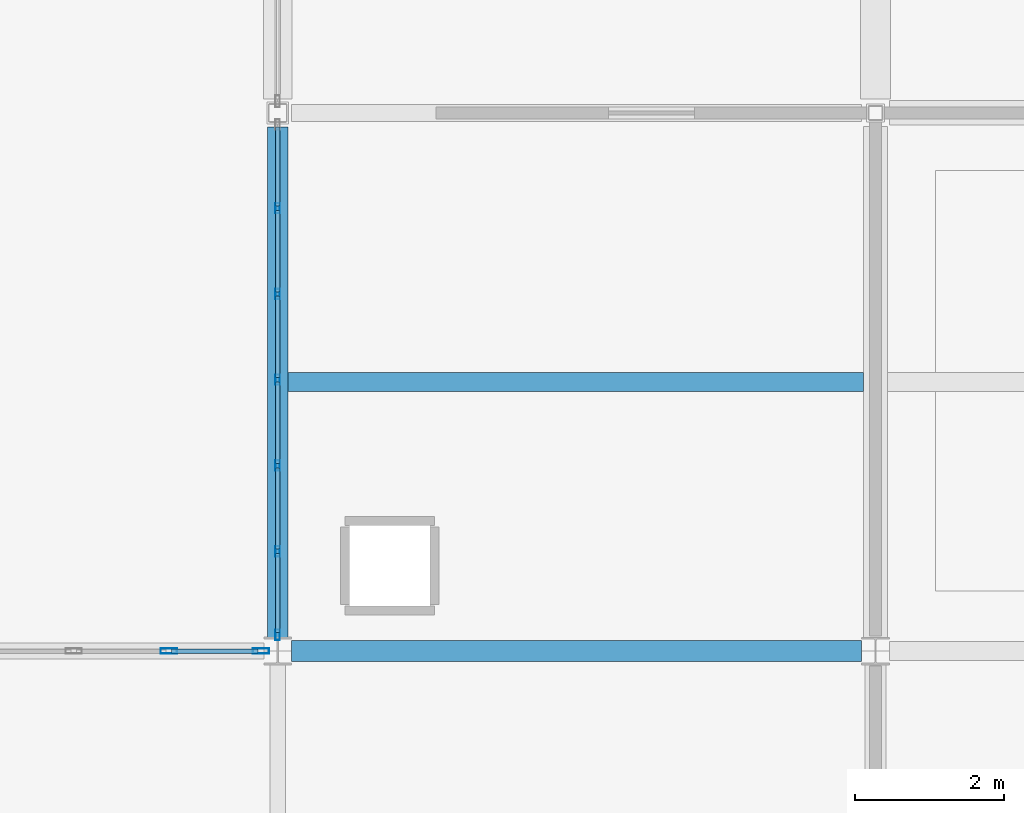
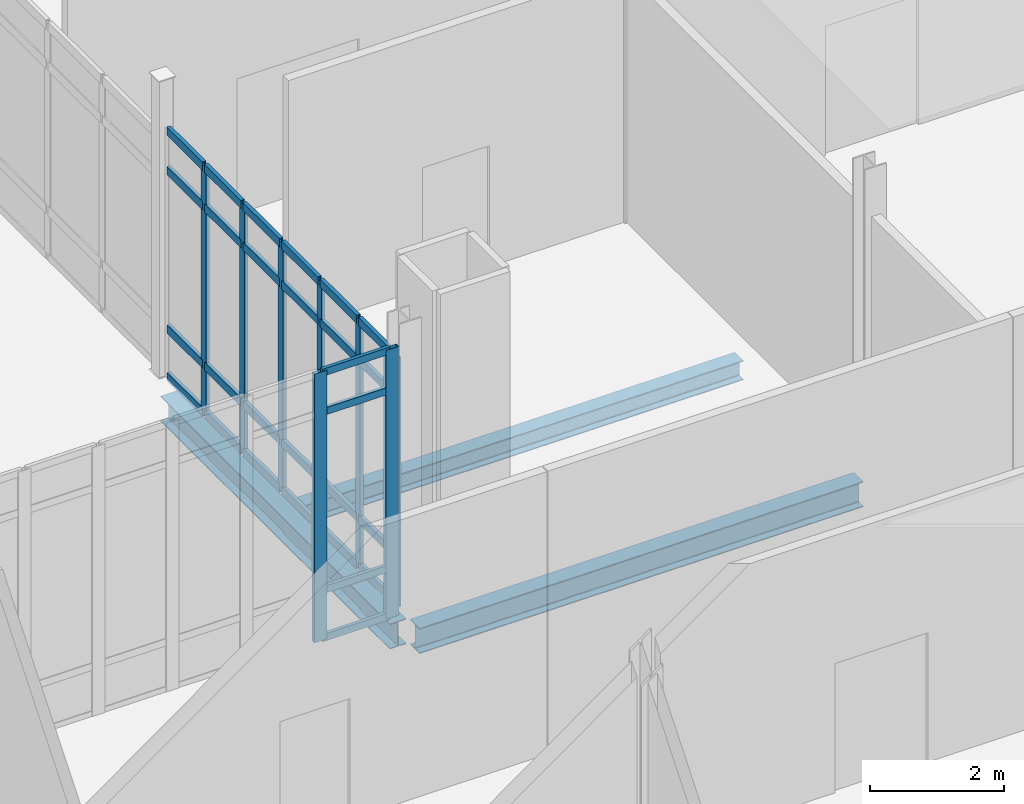
# One storey, part 50 of 229: 36 members, 3 beams, 2 elements without a shape of their own.
"""IFC4 building model written with IfcOpenShell, lengths in metres."""

from ifc_helpers import new_model, si_unit, direction, frame, origin, origin_2d, place, context, subcontext, project, spatial, hollow_rectangle, i_section, extrude, material, layer, layer_set, material_profile, profile_set, type_object, element, aggregate, save


model = new_model("IFC4")

# Units and contexts
model_context = context("Model", 3, precision=1e-05, world=origin(), true_north=direction((0.0, 1.0)))
body_context = subcontext(model_context, "Body", "Model", "MODEL_VIEW")
ifc_project = project(units=[si_unit("LENGTHUNIT", "METRE"), si_unit("AREAUNIT", "SQUARE_METRE"), si_unit("VOLUMEUNIT", "CUBIC_METRE"), si_unit("PLANEANGLEUNIT", "RADIAN"), si_unit("MASSUNIT", "GRAM", prefix="KILO")], contexts=[model_context])

# Site, building, storey
site_placement = place(None, origin())
site = spatial("IfcSite", under=ifc_project, at=site_placement, CompositionType="ELEMENT")
building_placement = place(site_placement, origin())
building = spatial("IfcBuilding", under=site, at=building_placement, Name="Calvrana Isthmian Art Gallery", CompositionType="ELEMENT")
storey_placement = place(building_placement, origin())
storey = spatial("IfcBuildingStorey", under=building, at=storey_placement, Name="L00", CompositionType="ELEMENT", Elevation=0.0)

# Beams
ifc_material_1 = material(Name="Steel ASTM A992 Gr 50", Category="steel")
ifc_material_profile_1 = material_profile(ifc_material_1, i_section(OverallWidth=0.279052734375, OverallDepth=0.4619140625, WebThickness=0.0107421875, FlangeThickness=0.017333984375, FilletRadius=0.02001953125, at=origin_2d()), Name="W18X76")
ifc_profile_set_1 = profile_set([ifc_material_profile_1], Name="Steel ASTM A992 Gr 50")
beam_type_1 = type_object("IfcBeamType", Name="BM-G-W18X76", PredefinedType="BEAM", material=ifc_profile_set_1)
beam_1_placement = place(storey_placement, frame((96.58642578125, 14.39990234375, -0.51611328125), z_axis=(1.0, 0.0, 0.0), x_axis=(0.0, 1.0, 0.0)))
element("IfcBeam", 1, at=beam_1_placement, inside=storey, type_object=beam_type_1, Name="Girder X L00 13-14/C", PredefinedType="BEAM", context=body_context, shape_type="SweptSolid", body=[
    extrude(i_section(OverallWidth=0.279052734375, OverallDepth=0.4619140625, WebThickness=0.0107421875, FlangeThickness=0.017333984375, FilletRadius=0.02001953125, at=origin_2d()), origin(), (0.0, 0.0, 1.0), 7.628173828125),
])
beam_2_placement = place(storey_placement, frame((96.39990234375, 14.583984375, -0.51611328125), z_axis=(0.0, 1.0, 0.0), x_axis=(-1.0, 0.0, 0.0)))
element("IfcBeam", 2, at=beam_2_placement, inside=storey, type_object=beam_type_1, Name="Girder Y L00 13/C-D", PredefinedType="BEAM", context=body_context, shape_type="SweptSolid", body=[
    extrude(i_section(OverallWidth=0.279052734375, OverallDepth=0.4619140625, WebThickness=0.0107421875, FlangeThickness=0.017333984375, FilletRadius=0.02001953125, at=origin_2d()), origin(), (0.0, 0.0, 1.0), 6.82958984375),
])
ifc_material_profile_2 = material_profile(ifc_material_1, i_section(OverallWidth=0.25390625, OverallDepth=0.35302734375, WebThickness=0.009521484375, FlangeThickness=0.016357421875, FilletRadius=0.01806640625, at=origin_2d()), Name="W14X61")
ifc_profile_set_2 = profile_set([ifc_material_profile_2], Name="Steel ASTM A992 Gr 50")
beam_type_2 = type_object("IfcBeamType", Name="BM-J-W14X61", PredefinedType="JOIST", material=ifc_profile_set_2)
beam_3_placement = place(storey_placement, frame((96.53955078125, 18.0, -0.46142578125), z_axis=(1.0, 0.0, 0.0), x_axis=(0.0, 1.0, 0.0)))
element("IfcBeam", 3, at=beam_3_placement, inside=storey, type_object=beam_type_2, Name="Composite joist L00 bay 12-02", PredefinedType="JOIST", context=body_context, shape_type="SweptSolid", body=[
    extrude(i_section(OverallWidth=0.25390625, OverallDepth=0.35302734375, WebThickness=0.009521484375, FlangeThickness=0.016357421875, FilletRadius=0.01806640625, at=origin_2d()), origin(), (0.0, 0.0, 1.0), 7.697998046875),
])

# Curtain wall, members
ifc_material_2 = material(Name="Anodized bronze aluminium 6063-T6", Category="aluminium")
ifc_layer_1 = layer(ifc_material_2, 0.179931640625, Name="Anodized bronze aluminium 6063-T6")
ifc_layer_set_1 = layer_set([ifc_layer_1], Name="Anodized bronze aluminium 6063-T6")
curtain_wall_type_1 = type_object("IfcCurtainWallType", Name="CW-UNIT-069X45", PredefinedType="USERDEFINED", material=ifc_layer_set_1)
curtain_wall_1_placement = place(storey_placement, origin())
curtain_wall_1 = element("IfcCurtainWall", 4, at=curtain_wall_1_placement, inside=storey, type_object=curtain_wall_type_1, Name="Curtain wall CW-072", ObjectType="UNITISED CURTAIN WALL", PredefinedType="USERDEFINED")
ifc_material_profile_3 = material_profile(ifc_material_2, hollow_rectangle(XDim=0.06005859375, YDim=0.139892578125, WallThickness=0.00390625, at=origin_2d()), Name="CWM60X140")
ifc_profile_set_3 = profile_set([ifc_material_profile_3], Name="Anodized bronze aluminium 6063-T6")
member_type_1 = type_object("IfcMemberType", Name="CWM-CWM60X140", PredefinedType="MULLION", material=ifc_profile_set_3)
member_1_placement = place(storey_placement, frame((96.39990234375, 14.616455078125, 0.0), z_axis=(0.0, 0.0, 1.0), x_axis=(-1.0, 0.0, 0.0)))
member_1 = element("IfcMember", 5, at=member_1_placement, type_object=member_type_1, Name="CW-072 mullion 1", PredefinedType="MULLION", context=body_context, shape_type="SweptSolid", body=[
    extrude(hollow_rectangle(XDim=0.06005859375, YDim=0.139892578125, WallThickness=0.00390625, at=origin_2d()), origin(), (0.0, 0.0, 1.0), 4.528076171875),
])
member_2_placement = place(storey_placement, frame((96.39990234375, 15.734130859375, 0.0), z_axis=(0.0, 0.0, 1.0), x_axis=(-1.0, 0.0, 0.0)))
member_2 = element("IfcMember", 6, at=member_2_placement, type_object=member_type_1, Name="CW-072 mullion 2", PredefinedType="MULLION", context=body_context, shape_type="SweptSolid", body=[
    extrude(hollow_rectangle(XDim=0.06005859375, YDim=0.139892578125, WallThickness=0.00390625, at=origin_2d()), origin(), (0.0, 0.0, 1.0), 4.528076171875),
])
member_3_placement = place(storey_placement, frame((96.39990234375, 16.882080078125, 0.0), z_axis=(0.0, 0.0, 1.0), x_axis=(-1.0, 0.0, 0.0)))
member_3 = element("IfcMember", 7, at=member_3_placement, type_object=member_type_1, Name="CW-072 mullion 3", PredefinedType="MULLION", context=body_context, shape_type="SweptSolid", body=[
    extrude(hollow_rectangle(XDim=0.06005859375, YDim=0.139892578125, WallThickness=0.00390625, at=origin_2d()), origin(), (0.0, 0.0, 1.0), 4.528076171875),
])
member_4_placement = place(storey_placement, frame((96.39990234375, 18.02978515625, 0.0), z_axis=(0.0, 0.0, 1.0), x_axis=(-1.0, 0.0, 0.0)))
member_4 = element("IfcMember", 8, at=member_4_placement, type_object=member_type_1, Name="CW-072 mullion 4", PredefinedType="MULLION", context=body_context, shape_type="SweptSolid", body=[
    extrude(hollow_rectangle(XDim=0.06005859375, YDim=0.139892578125, WallThickness=0.00390625, at=origin_2d()), origin(), (0.0, 0.0, 1.0), 4.528076171875),
])
member_5_placement = place(storey_placement, frame((96.39990234375, 19.177490234375, 0.0), z_axis=(0.0, 0.0, 1.0), x_axis=(-1.0, 0.0, 0.0)))
member_5 = element("IfcMember", 9, at=member_5_placement, type_object=member_type_1, Name="CW-072 mullion 5", PredefinedType="MULLION", context=body_context, shape_type="SweptSolid", body=[
    extrude(hollow_rectangle(XDim=0.06005859375, YDim=0.139892578125, WallThickness=0.00390625, at=origin_2d()), origin(), (0.0, 0.0, 1.0), 4.528076171875),
])
member_6_placement = place(storey_placement, frame((96.39990234375, 20.3251953125, 0.0), z_axis=(0.0, 0.0, 1.0), x_axis=(-1.0, 0.0, 0.0)))
member_6 = element("IfcMember", 10, at=member_6_placement, type_object=member_type_1, Name="CW-072 mullion 6", PredefinedType="MULLION", context=body_context, shape_type="SweptSolid", body=[
    extrude(hollow_rectangle(XDim=0.06005859375, YDim=0.139892578125, WallThickness=0.00390625, at=origin_2d()), origin(), (0.0, 0.0, 1.0), 4.528076171875),
])

ifc_layer_2 = layer(ifc_material_2, 0.179931640625, Name="Anodized bronze aluminium 6063-T6")
ifc_layer_set_2 = layer_set([ifc_layer_2], Name="Anodized bronze aluminium 6063-T6")
curtain_wall_type_2 = type_object("IfcCurtainWallType", Name="CW-STICK-076X49", PredefinedType="NOTDEFINED", material=ifc_layer_set_2)
curtain_wall_2_placement = place(storey_placement, origin())
curtain_wall_2 = element("IfcCurtainWall", 11, at=curtain_wall_2_placement, inside=storey, type_object=curtain_wall_type_2, Name="Curtain wall CW-016", PredefinedType="NOTDEFINED")
ifc_material_profile_4 = material_profile(ifc_material_2, hollow_rectangle(XDim=0.074951171875, YDim=0.219970703125, WallThickness=0.0048828125, at=origin_2d()), Name="CWM75X220")
ifc_profile_set_4 = profile_set([ifc_material_profile_4], Name="Anodized bronze aluminium 6063-T6")
member_type_2 = type_object("IfcMemberType", Name="CWM-CWM75X220", PredefinedType="MULLION", material=ifc_profile_set_4)
member_7_placement = place(storey_placement, frame((94.94189453125, 14.39990234375, 0.0), z_axis=(0.0, 0.0, 1.0), x_axis=(0.0, 1.0, 0.0)))
member_7 = element("IfcMember", 12, at=member_7_placement, type_object=member_type_2, Name="CW-016 mullion 6", PredefinedType="MULLION", context=body_context, shape_type="SweptSolid", body=[
    extrude(hollow_rectangle(XDim=0.074951171875, YDim=0.219970703125, WallThickness=0.0048828125, at=origin_2d()), origin(), (0.0, 0.0, 1.0), 4.885986328125),
])
member_8_placement = place(storey_placement, frame((96.176025390625, 14.39990234375, 0.0), z_axis=(0.0, 0.0, 1.0), x_axis=(0.0, 1.0, 0.0)))
member_8 = element("IfcMember", 13, at=member_8_placement, type_object=member_type_2, Name="CW-016 mullion 7", PredefinedType="MULLION", context=body_context, shape_type="SweptSolid", body=[
    extrude(hollow_rectangle(XDim=0.074951171875, YDim=0.219970703125, WallThickness=0.0048828125, at=origin_2d()), origin(), (0.0, 0.0, 1.0), 4.885986328125),
])
ifc_material_profile_5 = material_profile(ifc_material_2, hollow_rectangle(XDim=0.06005859375, YDim=0.1298828125, WallThickness=0.00390625, at=origin_2d()), Name="CWT60X130")
ifc_profile_set_5 = profile_set([ifc_material_profile_5], Name="Anodized bronze aluminium 6063-T6")
member_type_3 = type_object("IfcMemberType", Name="CWT-CWT60X130", PredefinedType="USERDEFINED", material=ifc_profile_set_5)
member_9_placement = place(storey_placement, frame((94.9794921875, 14.39990234375, 0.030029296875), z_axis=(1.0, 0.0, 0.0), x_axis=(0.0, 1.0, 0.0)))
member_9 = element("IfcMember", 14, at=member_9_placement, type_object=member_type_3, Name="CW-016 transom 6.1", ObjectType="TRANSOM", PredefinedType="USERDEFINED", context=body_context, shape_type="SweptSolid", body=[
    extrude(hollow_rectangle(XDim=0.06005859375, YDim=0.1298828125, WallThickness=0.00390625, at=origin_2d()), origin(), (0.0, 0.0, 1.0), 1.158935546875),
])
member_10_placement = place(storey_placement, frame((94.9794921875, 14.39990234375, 0.89990234375), z_axis=(1.0, 0.0, 0.0), x_axis=(0.0, 1.0, 0.0)))
member_10 = element("IfcMember", 15, at=member_10_placement, type_object=member_type_3, Name="CW-016 transom 6.2", ObjectType="TRANSOM", PredefinedType="USERDEFINED", context=body_context, shape_type="SweptSolid", body=[
    extrude(hollow_rectangle(XDim=0.06005859375, YDim=0.1298828125, WallThickness=0.00390625, at=origin_2d()), origin(), (0.0, 0.0, 1.0), 1.158935546875),
])
member_11_placement = place(storey_placement, frame((94.9794921875, 14.39990234375, 4.135986328125), z_axis=(1.0, 0.0, 0.0), x_axis=(0.0, 1.0, 0.0)))
member_11 = element("IfcMember", 16, at=member_11_placement, type_object=member_type_3, Name="CW-016 transom 6.3", ObjectType="TRANSOM", PredefinedType="USERDEFINED", context=body_context, shape_type="SweptSolid", body=[
    extrude(hollow_rectangle(XDim=0.06005859375, YDim=0.1298828125, WallThickness=0.00390625, at=origin_2d()), origin(), (0.0, 0.0, 1.0), 1.158935546875),
])
member_12_placement = place(storey_placement, frame((94.9794921875, 14.39990234375, 4.85595703125), z_axis=(1.0, 0.0, 0.0), x_axis=(0.0, 1.0, 0.0)))
member_12 = element("IfcMember", 17, at=member_12_placement, type_object=member_type_3, Name="CW-016 transom 6.4", ObjectType="TRANSOM", PredefinedType="USERDEFINED", context=body_context, shape_type="SweptSolid", body=[
    extrude(hollow_rectangle(XDim=0.06005859375, YDim=0.1298828125, WallThickness=0.00390625, at=origin_2d()), origin(), (0.0, 0.0, 1.0), 1.158935546875),
])
aggregate(curtain_wall_2, [member_7, member_8, member_9, member_10, member_11, member_12])

# Member
ifc_material_profile_6 = material_profile(ifc_material_2, hollow_rectangle(XDim=0.06494140625, YDim=0.14990234375, WallThickness=0.00390625, at=origin_2d()), Name="CWT65X150")
ifc_profile_set_6 = profile_set([ifc_material_profile_6], Name="Anodized bronze aluminium 6063-T6")
member_type_4 = type_object("IfcMemberType", Name="CWT-CWT65X150", PredefinedType="USERDEFINED", material=ifc_profile_set_6)
member_13_placement = place(storey_placement, frame((96.39990234375, 14.646484375, 0.032470703125), z_axis=(0.0, 1.0, 0.0), x_axis=(-1.0, 0.0, 0.0)))
member_13 = element("IfcMember", 18, at=member_13_placement, type_object=member_type_4, Name="CW-072 transom 1.1", ObjectType="TRANSOM", PredefinedType="USERDEFINED", context=body_context, shape_type="SweptSolid", body=[
    extrude(hollow_rectangle(XDim=0.06494140625, YDim=0.14990234375, WallThickness=0.00390625, at=origin_2d()), origin(), (0.0, 0.0, 1.0), 1.057861328125),
])

member_14_placement = place(storey_placement, frame((96.39990234375, 14.646484375, 0.89990234375), z_axis=(0.0, 1.0, 0.0), x_axis=(-1.0, 0.0, 0.0)))
member_14 = element("IfcMember", 19, at=member_14_placement, type_object=member_type_4, Name="CW-072 transom 1.2", ObjectType="TRANSOM", PredefinedType="USERDEFINED", context=body_context, shape_type="SweptSolid", body=[
    extrude(hollow_rectangle(XDim=0.06494140625, YDim=0.14990234375, WallThickness=0.00390625, at=origin_2d()), origin(), (0.0, 0.0, 1.0), 1.057861328125),
])

member_15_placement = place(storey_placement, frame((96.39990234375, 14.646484375, 3.778076171875), z_axis=(0.0, 1.0, 0.0), x_axis=(-1.0, 0.0, 0.0)))
member_15 = element("IfcMember", 20, at=member_15_placement, type_object=member_type_4, Name="CW-072 transom 1.3", ObjectType="TRANSOM", PredefinedType="USERDEFINED", context=body_context, shape_type="SweptSolid", body=[
    extrude(hollow_rectangle(XDim=0.06494140625, YDim=0.14990234375, WallThickness=0.00390625, at=origin_2d()), origin(), (0.0, 0.0, 1.0), 1.057861328125),
])

member_16_placement = place(storey_placement, frame((96.39990234375, 14.646484375, 4.49560546875), z_axis=(0.0, 1.0, 0.0), x_axis=(-1.0, 0.0, 0.0)))
member_16 = element("IfcMember", 21, at=member_16_placement, type_object=member_type_4, Name="CW-072 transom 1.4", ObjectType="TRANSOM", PredefinedType="USERDEFINED", context=body_context, shape_type="SweptSolid", body=[
    extrude(hollow_rectangle(XDim=0.06494140625, YDim=0.14990234375, WallThickness=0.00390625, at=origin_2d()), origin(), (0.0, 0.0, 1.0), 1.057861328125),
])

member_17_placement = place(storey_placement, frame((96.39990234375, 15.76416015625, 0.032470703125), z_axis=(0.0, 1.0, 0.0), x_axis=(-1.0, 0.0, 0.0)))
member_17 = element("IfcMember", 22, at=member_17_placement, type_object=member_type_4, Name="CW-072 transom 2.1", ObjectType="TRANSOM", PredefinedType="USERDEFINED", context=body_context, shape_type="SweptSolid", body=[
    extrude(hollow_rectangle(XDim=0.06494140625, YDim=0.14990234375, WallThickness=0.00390625, at=origin_2d()), origin(), (0.0, 0.0, 1.0), 1.087890625),
])

member_18_placement = place(storey_placement, frame((96.39990234375, 15.76416015625, 0.89990234375), z_axis=(0.0, 1.0, 0.0), x_axis=(-1.0, 0.0, 0.0)))
member_18 = element("IfcMember", 23, at=member_18_placement, type_object=member_type_4, Name="CW-072 transom 2.2", ObjectType="TRANSOM", PredefinedType="USERDEFINED", context=body_context, shape_type="SweptSolid", body=[
    extrude(hollow_rectangle(XDim=0.06494140625, YDim=0.14990234375, WallThickness=0.00390625, at=origin_2d()), origin(), (0.0, 0.0, 1.0), 1.087890625),
])

member_19_placement = place(storey_placement, frame((96.39990234375, 15.76416015625, 3.778076171875), z_axis=(0.0, 1.0, 0.0), x_axis=(-1.0, 0.0, 0.0)))
member_19 = element("IfcMember", 24, at=member_19_placement, type_object=member_type_4, Name="CW-072 transom 2.3", ObjectType="TRANSOM", PredefinedType="USERDEFINED", context=body_context, shape_type="SweptSolid", body=[
    extrude(hollow_rectangle(XDim=0.06494140625, YDim=0.14990234375, WallThickness=0.00390625, at=origin_2d()), origin(), (0.0, 0.0, 1.0), 1.087890625),
])

member_20_placement = place(storey_placement, frame((96.39990234375, 15.76416015625, 4.49560546875), z_axis=(0.0, 1.0, 0.0), x_axis=(-1.0, 0.0, 0.0)))
member_20 = element("IfcMember", 25, at=member_20_placement, type_object=member_type_4, Name="CW-072 transom 2.4", ObjectType="TRANSOM", PredefinedType="USERDEFINED", context=body_context, shape_type="SweptSolid", body=[
    extrude(hollow_rectangle(XDim=0.06494140625, YDim=0.14990234375, WallThickness=0.00390625, at=origin_2d()), origin(), (0.0, 0.0, 1.0), 1.087890625),
])

member_21_placement = place(storey_placement, frame((96.39990234375, 16.912109375, 0.032470703125), z_axis=(0.0, 1.0, 0.0), x_axis=(-1.0, 0.0, 0.0)))
member_21 = element("IfcMember", 26, at=member_21_placement, type_object=member_type_4, Name="CW-072 transom 3.1", ObjectType="TRANSOM", PredefinedType="USERDEFINED", context=body_context, shape_type="SweptSolid", body=[
    extrude(hollow_rectangle(XDim=0.06494140625, YDim=0.14990234375, WallThickness=0.00390625, at=origin_2d()), origin(), (0.0, 0.0, 1.0), 1.087646484375),
])

member_22_placement = place(storey_placement, frame((96.39990234375, 16.912109375, 0.89990234375), z_axis=(0.0, 1.0, 0.0), x_axis=(-1.0, 0.0, 0.0)))
member_22 = element("IfcMember", 27, at=member_22_placement, type_object=member_type_4, Name="CW-072 transom 3.2", ObjectType="TRANSOM", PredefinedType="USERDEFINED", context=body_context, shape_type="SweptSolid", body=[
    extrude(hollow_rectangle(XDim=0.06494140625, YDim=0.14990234375, WallThickness=0.00390625, at=origin_2d()), origin(), (0.0, 0.0, 1.0), 1.087646484375),
])

member_23_placement = place(storey_placement, frame((96.39990234375, 16.912109375, 3.778076171875), z_axis=(0.0, 1.0, 0.0), x_axis=(-1.0, 0.0, 0.0)))
member_23 = element("IfcMember", 28, at=member_23_placement, type_object=member_type_4, Name="CW-072 transom 3.3", ObjectType="TRANSOM", PredefinedType="USERDEFINED", context=body_context, shape_type="SweptSolid", body=[
    extrude(hollow_rectangle(XDim=0.06494140625, YDim=0.14990234375, WallThickness=0.00390625, at=origin_2d()), origin(), (0.0, 0.0, 1.0), 1.087646484375),
])

member_24_placement = place(storey_placement, frame((96.39990234375, 16.912109375, 4.49560546875), z_axis=(0.0, 1.0, 0.0), x_axis=(-1.0, 0.0, 0.0)))
member_24 = element("IfcMember", 29, at=member_24_placement, type_object=member_type_4, Name="CW-072 transom 3.4", ObjectType="TRANSOM", PredefinedType="USERDEFINED", context=body_context, shape_type="SweptSolid", body=[
    extrude(hollow_rectangle(XDim=0.06494140625, YDim=0.14990234375, WallThickness=0.00390625, at=origin_2d()), origin(), (0.0, 0.0, 1.0), 1.087646484375),
])

member_25_placement = place(storey_placement, frame((96.39990234375, 18.059814453125, 0.032470703125), z_axis=(0.0, 1.0, 0.0), x_axis=(-1.0, 0.0, 0.0)))
member_25 = element("IfcMember", 30, at=member_25_placement, type_object=member_type_4, Name="CW-072 transom 4.1", ObjectType="TRANSOM", PredefinedType="USERDEFINED", context=body_context, shape_type="SweptSolid", body=[
    extrude(hollow_rectangle(XDim=0.06494140625, YDim=0.14990234375, WallThickness=0.00390625, at=origin_2d()), origin(), (0.0, 0.0, 1.0), 1.087646484375),
])

member_26_placement = place(storey_placement, frame((96.39990234375, 18.059814453125, 0.89990234375), z_axis=(0.0, 1.0, 0.0), x_axis=(-1.0, 0.0, 0.0)))
member_26 = element("IfcMember", 31, at=member_26_placement, type_object=member_type_4, Name="CW-072 transom 4.2", ObjectType="TRANSOM", PredefinedType="USERDEFINED", context=body_context, shape_type="SweptSolid", body=[
    extrude(hollow_rectangle(XDim=0.06494140625, YDim=0.14990234375, WallThickness=0.00390625, at=origin_2d()), origin(), (0.0, 0.0, 1.0), 1.087646484375),
])

member_27_placement = place(storey_placement, frame((96.39990234375, 18.059814453125, 3.778076171875), z_axis=(0.0, 1.0, 0.0), x_axis=(-1.0, 0.0, 0.0)))
member_27 = element("IfcMember", 32, at=member_27_placement, type_object=member_type_4, Name="CW-072 transom 4.3", ObjectType="TRANSOM", PredefinedType="USERDEFINED", context=body_context, shape_type="SweptSolid", body=[
    extrude(hollow_rectangle(XDim=0.06494140625, YDim=0.14990234375, WallThickness=0.00390625, at=origin_2d()), origin(), (0.0, 0.0, 1.0), 1.087646484375),
])

member_28_placement = place(storey_placement, frame((96.39990234375, 18.059814453125, 4.49560546875), z_axis=(0.0, 1.0, 0.0), x_axis=(-1.0, 0.0, 0.0)))
member_28 = element("IfcMember", 33, at=member_28_placement, type_object=member_type_4, Name="CW-072 transom 4.4", ObjectType="TRANSOM", PredefinedType="USERDEFINED", context=body_context, shape_type="SweptSolid", body=[
    extrude(hollow_rectangle(XDim=0.06494140625, YDim=0.14990234375, WallThickness=0.00390625, at=origin_2d()), origin(), (0.0, 0.0, 1.0), 1.087646484375),
])

member_29_placement = place(storey_placement, frame((96.39990234375, 19.20751953125, 0.032470703125), z_axis=(0.0, 1.0, 0.0), x_axis=(-1.0, 0.0, 0.0)))
member_29 = element("IfcMember", 34, at=member_29_placement, type_object=member_type_4, Name="CW-072 transom 5.1", ObjectType="TRANSOM", PredefinedType="USERDEFINED", context=body_context, shape_type="SweptSolid", body=[
    extrude(hollow_rectangle(XDim=0.06494140625, YDim=0.14990234375, WallThickness=0.00390625, at=origin_2d()), origin(), (0.0, 0.0, 1.0), 1.087646484375),
])

member_30_placement = place(storey_placement, frame((96.39990234375, 19.20751953125, 0.89990234375), z_axis=(0.0, 1.0, 0.0), x_axis=(-1.0, 0.0, 0.0)))
member_30 = element("IfcMember", 35, at=member_30_placement, type_object=member_type_4, Name="CW-072 transom 5.2", ObjectType="TRANSOM", PredefinedType="USERDEFINED", context=body_context, shape_type="SweptSolid", body=[
    extrude(hollow_rectangle(XDim=0.06494140625, YDim=0.14990234375, WallThickness=0.00390625, at=origin_2d()), origin(), (0.0, 0.0, 1.0), 1.087646484375),
])

member_31_placement = place(storey_placement, frame((96.39990234375, 19.20751953125, 3.778076171875), z_axis=(0.0, 1.0, 0.0), x_axis=(-1.0, 0.0, 0.0)))
member_31 = element("IfcMember", 36, at=member_31_placement, type_object=member_type_4, Name="CW-072 transom 5.3", ObjectType="TRANSOM", PredefinedType="USERDEFINED", context=body_context, shape_type="SweptSolid", body=[
    extrude(hollow_rectangle(XDim=0.06494140625, YDim=0.14990234375, WallThickness=0.00390625, at=origin_2d()), origin(), (0.0, 0.0, 1.0), 1.087646484375),
])

member_32_placement = place(storey_placement, frame((96.39990234375, 19.20751953125, 4.49560546875), z_axis=(0.0, 1.0, 0.0), x_axis=(-1.0, 0.0, 0.0)))
member_32 = element("IfcMember", 37, at=member_32_placement, type_object=member_type_4, Name="CW-072 transom 5.4", ObjectType="TRANSOM", PredefinedType="USERDEFINED", context=body_context, shape_type="SweptSolid", body=[
    extrude(hollow_rectangle(XDim=0.06494140625, YDim=0.14990234375, WallThickness=0.00390625, at=origin_2d()), origin(), (0.0, 0.0, 1.0), 1.087646484375),
])

member_33_placement = place(storey_placement, frame((96.39990234375, 20.355224609375, 0.032470703125), z_axis=(0.0, 1.0, 0.0), x_axis=(-1.0, 0.0, 0.0)))
member_33 = element("IfcMember", 38, at=member_33_placement, type_object=member_type_4, Name="CW-072 transom 6.1", ObjectType="TRANSOM", PredefinedType="USERDEFINED", context=body_context, shape_type="SweptSolid", body=[
    extrude(hollow_rectangle(XDim=0.06494140625, YDim=0.14990234375, WallThickness=0.00390625, at=origin_2d()), origin(), (0.0, 0.0, 1.0), 1.057861328125),
])

member_34_placement = place(storey_placement, frame((96.39990234375, 20.355224609375, 0.89990234375), z_axis=(0.0, 1.0, 0.0), x_axis=(-1.0, 0.0, 0.0)))
member_34 = element("IfcMember", 39, at=member_34_placement, type_object=member_type_4, Name="CW-072 transom 6.2", ObjectType="TRANSOM", PredefinedType="USERDEFINED", context=body_context, shape_type="SweptSolid", body=[
    extrude(hollow_rectangle(XDim=0.06494140625, YDim=0.14990234375, WallThickness=0.00390625, at=origin_2d()), origin(), (0.0, 0.0, 1.0), 1.057861328125),
])

member_35_placement = place(storey_placement, frame((96.39990234375, 20.355224609375, 3.778076171875), z_axis=(0.0, 1.0, 0.0), x_axis=(-1.0, 0.0, 0.0)))
member_35 = element("IfcMember", 40, at=member_35_placement, type_object=member_type_4, Name="CW-072 transom 6.3", ObjectType="TRANSOM", PredefinedType="USERDEFINED", context=body_context, shape_type="SweptSolid", body=[
    extrude(hollow_rectangle(XDim=0.06494140625, YDim=0.14990234375, WallThickness=0.00390625, at=origin_2d()), origin(), (0.0, 0.0, 1.0), 1.057861328125),
])

member_36_placement = place(storey_placement, frame((96.39990234375, 20.355224609375, 4.49560546875), z_axis=(0.0, 1.0, 0.0), x_axis=(-1.0, 0.0, 0.0)))
member_36 = element("IfcMember", 41, at=member_36_placement, type_object=member_type_4, Name="CW-072 transom 6.4", ObjectType="TRANSOM", PredefinedType="USERDEFINED", context=body_context, shape_type="SweptSolid", body=[
    extrude(hollow_rectangle(XDim=0.06494140625, YDim=0.14990234375, WallThickness=0.00390625, at=origin_2d()), origin(), (0.0, 0.0, 1.0), 1.057861328125),
])

aggregate(curtain_wall_1, [member_1, member_2, member_3, member_4, member_5, member_6, member_13, member_14, member_15, member_16, member_17, member_18, member_19, member_20, member_21, member_22, member_23, member_24, member_25, member_26, member_27, member_28, member_29, member_30, member_31, member_32, member_33, member_34, member_35, member_36])

save(model, "model.ifc")
